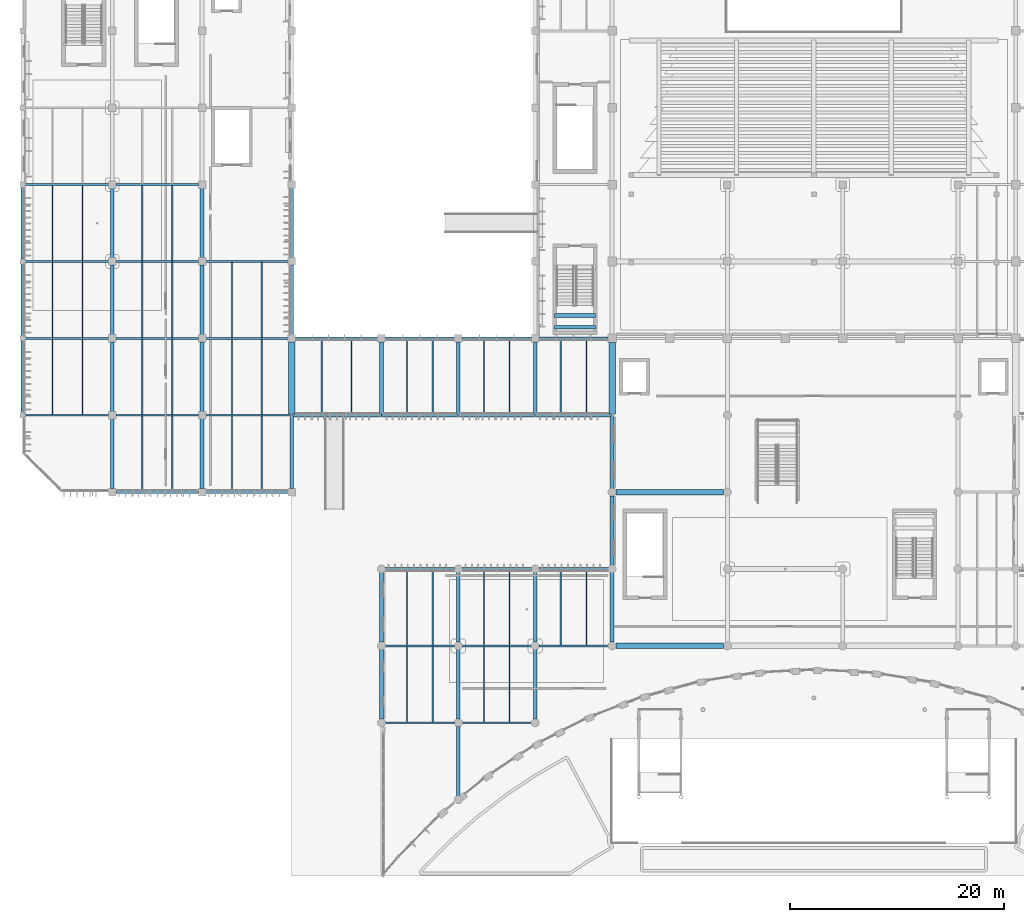
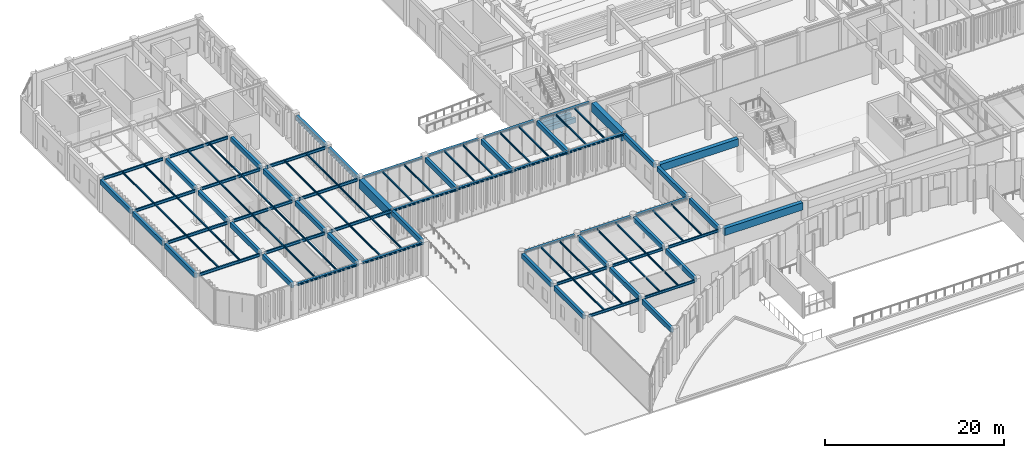
# One storey, part 10 of 122: 100 beams.
"""IFC4 building model written with IfcOpenShell, lengths in metres."""

import ifcopenshell
import ifcopenshell.guid

model = None  # the IFC model being written
_history = None  # IfcOwnerHistory: only IFC2X3 demands one
_inside = {}  # id of a spatial element -> (the spatial element, [elements in it])
_under = {}  # id of a project, library or spatial element -> (it, [spatial elements below it])
_declared = {}  # id of a project -> (the project, [libraries it declares])
_typed = {}  # id of a type object -> (the type object, [elements of that type])
_made_of = {}  # id of a material, layer set ... -> (it, [elements and type objects made of it])


def new_model(schema):
    """Start an empty IFC model of exactly this schema.

    Asked for "IFC4X3", IfcOpenShell would pick the latest addendum, in which some entities
    have other attributes; the version numbers below select the first issue.
    IFC2X3 requires an IfcOwnerHistory on every rooted entity: one is made here for all.
    """
    global model, _history
    if schema == "IFC4X3":
        model = ifcopenshell.file(schema_version=(4, 3, 0, 0))
    else:
        model = ifcopenshell.file(schema=schema)
    _inside.clear()
    _under.clear()
    _declared.clear()
    _typed.clear()
    _made_of.clear()
    _history = None
    if model.schema == "IFC2X3":
        org = make("IfcOrganization", Name="unknown")
        user = make(
            "IfcPersonAndOrganization",
            ThePerson=make("IfcPerson", FamilyName="unknown"),
            TheOrganization=org,
        )
        app = make(
            "IfcApplication",
            ApplicationDeveloper=org,
            Version="unknown",
            ApplicationFullName="unknown",
            ApplicationIdentifier="unknown",
        )
        _history = make(
            "IfcOwnerHistory",
            OwningUser=user,
            OwningApplication=app,
            ChangeAction="ADDED",
            CreationDate=0,
        )
    return model


def make(cls, **values):
    """One entity of the class cls with the attributes given. An attribute that is None is left unset."""
    return model.create_entity(
        cls, **{name: value for name, value in values.items() if value is not None}
    )


def rooted(cls, **values):
    """An entity with a GlobalId (a new one), such as an element, a storey or a relation."""
    return make(cls, GlobalId=ifcopenshell.guid.new(), OwnerHistory=_history, **values)


def si_unit(unit_type, name, prefix=None):
    """IfcSIUnit, for example si_unit("LENGTHUNIT", "METRE", prefix="MILLI")."""
    return make("IfcSIUnit", UnitType=unit_type, Prefix=prefix, Name=name)


def assignment(units):
    """IfcUnitAssignment: the units of a project."""
    return None if units is None else make("IfcUnitAssignment", Units=units)


def point(xyz):
    """IfcCartesianPoint."""
    return None if xyz is None else make("IfcCartesianPoint", Coordinates=xyz)


def direction(xyz):
    """IfcDirection."""
    return None if xyz is None else make("IfcDirection", DirectionRatios=xyz)


def frame(location, z_axis=None, x_axis=None):
    """IfcAxis2Placement3D, a coordinate frame: its origin and axes. An axis left out is left unset."""
    return make(
        "IfcAxis2Placement3D",
        Location=point(location),
        Axis=direction(z_axis),
        RefDirection=direction(x_axis),
    )


def frame_2d(location, x_axis=None):
    """IfcAxis2Placement2D, a coordinate frame in the plane: its origin and x axis."""
    return make(
        "IfcAxis2Placement2D", Location=point(location), RefDirection=direction(x_axis)
    )


def origin():
    """The frame at (0, 0, 0) with its axes left unset."""
    return frame((0.0, 0.0, 0.0))


def origin_2d():
    """The frame at (0, 0) in the plane with its x axis left unset."""
    return frame_2d((0.0, 0.0))


def place(relative_to, where):
    """IfcLocalPlacement: puts the frame where relative to a parent placement (None: the world)."""
    return make(
        "IfcLocalPlacement", PlacementRelTo=relative_to, RelativePlacement=where
    )


def context(
    kind, dimensions, precision=None, world=None, true_north=None, identifier=None
):
    """IfcGeometricRepresentationContext, for example the 3D "Model" context."""
    return make(
        "IfcGeometricRepresentationContext",
        ContextIdentifier=identifier,
        ContextType=kind,
        CoordinateSpaceDimension=dimensions,
        Precision=precision,
        WorldCoordinateSystem=world,
        TrueNorth=true_north,
    )


def subcontext(parent, identifier, kind, view, scale=None):
    """IfcGeometricRepresentationSubContext, for example "Body" below "Model"."""
    return make(
        "IfcGeometricRepresentationSubContext",
        ContextIdentifier=identifier,
        ContextType=kind,
        ParentContext=parent,
        TargetScale=scale,
        TargetView=view,
    )


def project(units=None, contexts=None):
    """IfcProject with its units and contexts."""
    return rooted(
        "IfcProject",
        Name="project",
        RepresentationContexts=contexts,
        UnitsInContext=assignment(units),
    )


def spatial(cls, under=None, at=None, **own):
    """A site, building, storey or space (cls), placed at a placement, below another one or the project."""
    s = rooted(cls, ObjectPlacement=at, **own)
    if under is not None:
        _under.setdefault(under.id(), (under, []))[1].append(s)
    return s


def profile(cls, at=None, kind="AREA", **sizes):
    """A parametric profile (cls). Its sizes go by their IFC names, for example OverallWidth=200.0."""
    return make(cls, ProfileType=kind, Position=at, **sizes)


def rectangle(**sizes):
    """IfcRectangleProfileDef."""
    return profile("IfcRectangleProfileDef", **sizes)


def i_section(**sizes):
    """IfcIShapeProfileDef."""
    return profile("IfcIShapeProfileDef", **sizes)


def extrude(swept, where, along, depth):
    """IfcExtrudedAreaSolid: the profile swept, set in the frame where, extruded along a direction by depth."""
    return make(
        "IfcExtrudedAreaSolid",
        SweptArea=swept,
        Position=where,
        ExtrudedDirection=direction(along),
        Depth=depth,
    )


def shape(context_of_items, identifier, shape_type, items):
    """IfcShapeRepresentation: the items that make up one representation, for example the "Body"."""
    return make(
        "IfcShapeRepresentation",
        ContextOfItems=context_of_items,
        RepresentationIdentifier=identifier,
        RepresentationType=shape_type,
        Items=items,
    )


def material(Name=None, Category=None):
    """IfcMaterial."""
    return make("IfcMaterial", Name=Name, Category=Category)


def material_profile(
    of_material, cross_section, Name=None, Category=None, Priority=None
):
    """IfcMaterialProfile: a cross section and its material."""
    return make(
        "IfcMaterialProfile",
        Name=Name,
        Material=of_material,
        Profile=cross_section,
        Priority=Priority,
        Category=Category,
    )


def profile_set(profiles, Name=None, composite=None):
    """IfcMaterialProfileSet."""
    return make(
        "IfcMaterialProfileSet",
        Name=Name,
        MaterialProfiles=profiles,
        CompositeProfile=composite,
    )


def made_of(thing, what):
    """Note that an element or type object is made of a material, layer set ...; save() writes the relation."""
    if what is not None:
        _made_of.setdefault(what.id(), (what, []))[1].append(thing)
    return thing


def type_object(cls, material=None, **own):
    """A type object (cls), such as IfcWallType, which elements share."""
    return made_of(rooted(cls, **own), material)


def element(
    cls,
    number,
    at=None,
    inside=None,
    cuts=None,
    type_object=None,
    material=None,
    context=None,
    identifier="Body",
    shape_type=None,
    held_by="IfcProductDefinitionShape",
    body=None,
    shapes=None,
    **own,
):
    """One element of the class cls, such as IfcWall. Its Tag is "e" and its number.

    at: its placement. inside: the storey or other place that contains it. cuts: it is an
    opening in that element (IfcRelVoidsElement). A single representation is given by context,
    identifier, shape_type and body (its items); several are given by shapes. held_by: the class
    of the entity that holds the representations. save() writes the other relations.
    """
    e = rooted(cls, Tag="e%d" % number, ObjectPlacement=at, **own)
    if body is not None:
        shapes = [shape(context, identifier, shape_type, body)]
    if shapes is not None:
        e.Representation = make(held_by, Representations=shapes)
    if inside is not None:
        _inside.setdefault(inside.id(), (inside, []))[1].append(e)
    if cuts is not None:
        rooted(
            "IfcRelVoidsElement", RelatingBuildingElement=cuts, RelatedOpeningElement=e
        )
    if type_object is not None:
        _typed.setdefault(type_object.id(), (type_object, []))[1].append(e)
    return made_of(e, material)


def aggregate(whole, parts):
    """IfcRelAggregates: a whole, such as a stair, and the parts it consists of."""
    return rooted("IfcRelAggregates", RelatingObject=whole, RelatedObjects=parts)


def save(model, path):
    """Write the relations noted so far, then the file.

    IfcRelAggregates (storeys below a building ...), IfcRelContainedInSpatialStructure (elements
    in a storey), IfcRelDefinesByType, IfcRelAssociatesMaterial and IfcRelDeclares: one each for
    every whole, place, type object, material and project.
    """
    for whole, parts in _under.values():
        aggregate(whole, parts)
    for where, things in _inside.values():
        rooted(
            "IfcRelContainedInSpatialStructure",
            RelatedElements=things,
            RelatingStructure=where,
        )
    for kind, things in _typed.values():
        rooted("IfcRelDefinesByType", RelatedObjects=things, RelatingType=kind)
    for what, things in _made_of.values():
        rooted("IfcRelAssociatesMaterial", RelatedObjects=things, RelatingMaterial=what)
    for by, libraries in _declared.values():
        rooted("IfcRelDeclares", RelatingContext=by, RelatedDefinitions=libraries)
    model.write(path)


model = new_model("IFC4")

# Units and contexts
model_context = context("Model", 3, precision=1e-05, world=origin(), true_north=direction((0.0, 1.0)))
body_context = subcontext(model_context, "Body", "Model", "MODEL_VIEW")
ifc_project = project(units=[si_unit("LENGTHUNIT", "METRE"), si_unit("AREAUNIT", "SQUARE_METRE"), si_unit("VOLUMEUNIT", "CUBIC_METRE"), si_unit("PLANEANGLEUNIT", "RADIAN"), si_unit("MASSUNIT", "GRAM", prefix="KILO")], contexts=[model_context])

# Site, building, storey
site_placement = place(None, origin())
site = spatial("IfcSite", under=ifc_project, at=site_placement, CompositionType="ELEMENT")
building_placement = place(site_placement, origin())
building = spatial("IfcBuilding", under=site, at=building_placement, Name="Tazoul Stagehouse", CompositionType="ELEMENT")
storey_placement = place(building_placement, origin())
storey = spatial("IfcBuildingStorey", under=building, at=storey_placement, Name="L00", CompositionType="ELEMENT", Elevation=0.0)

# Beams
ifc_material_1 = material(Name="Concrete C40/50", Category="concrete")
ifc_material_profile_1 = material_profile(ifc_material_1, rectangle(XDim=0.60009765625, YDim=1.199951171875, at=origin_2d()), Name="RC 600x1200")
ifc_profile_set_1 = profile_set([ifc_material_profile_1], Name="Concrete C40/50")
beam_type_1 = type_object("IfcBeamType", Name="RC Long-Span Girder 600x1200 (Exterior)", PredefinedType="BEAM", material=ifc_profile_set_1)
beam_1_placement = place(storey_placement, frame((27.60009765625, 44.737060546875, 3.93798828125), z_axis=(0.0, 1.0, 0.0), x_axis=(-1.0, 0.0, 0.0)))
element("IfcBeam", 1, at=beam_1_placement, inside=storey, type_object=beam_type_1, Name="L00 Beam BM-05E 4/G-H", PredefinedType="BEAM", context=body_context, shape_type="SweptSolid", body=[
    extrude(rectangle(XDim=0.60009765625, YDim=1.199951171875, at=origin_2d()), origin(), (0.0, 0.0, 1.0), 6.738037109375),
])
beam_2_placement = place(storey_placement, frame((57.60009765625, 44.737060546875, 3.93798828125), z_axis=(0.0, 1.0, 0.0), x_axis=(-1.0, 0.0, 0.0)))
element("IfcBeam", 2, at=beam_2_placement, inside=storey, type_object=beam_type_1, Name="L00 Beam BM-05E 8/G-H", PredefinedType="BEAM", context=body_context, shape_type="SweptSolid", body=[
    extrude(rectangle(XDim=0.60009765625, YDim=1.199951171875, at=origin_2d()), origin(), (0.0, 0.0, 1.0), 6.68798828125),
])
ifc_material_profile_2 = material_profile(ifc_material_1, rectangle(XDim=0.35009765625, YDim=0.64990234375, at=origin_2d()), Name="RC 350x650")
ifc_profile_set_2 = profile_set([ifc_material_profile_2], Name="Concrete C40/50")
beam_type_2 = type_object("IfcBeamType", Name="RC Perimeter Spandrel 350x650 (Exterior)", PredefinedType="SPANDREL", material=ifc_profile_set_2)
for number, where, z_axis, x_axis, name in (
    (3, (2.39990234375, 44.824951171875, 4.212890625), (0.0, 1.0, 0.0), (-1.0, 0.0, 0.0), "L00 Beam SP-01E 1/G-H"),
    (4, (2.39990234375, 52.02490234375, 4.212890625), (0.0, 1.0, 0.0), (-1.0, 0.0, 0.0), "L00 Beam SP-01E 1/H-J"),
    (5, (2.39990234375, 59.22509765625, 4.212890625), (0.0, 1.0, 0.0), (-1.0, 0.0, 0.0), "L00 Beam SP-01E 1/J-K"),
):
    element("IfcBeam", number, at=place(storey_placement, frame(where, z_axis=z_axis, x_axis=x_axis)), inside=storey, type_object=beam_type_2, Name=name, PredefinedType="SPANDREL", context=body_context, shape_type="SweptSolid", body=[
        extrude(rectangle(XDim=0.35009765625, YDim=0.64990234375, at=origin_2d()), origin(), (0.0, 0.0, 1.0), 6.75),
    ])
beam_3_placement = place(storey_placement, frame((27.60009765625, 37.72509765625, 4.212890625), z_axis=(0.0, 1.0, 0.0), x_axis=(-1.0, 0.0, 0.0)))
element("IfcBeam", 6, at=beam_3_placement, inside=storey, type_object=beam_type_2, Name="L00 Beam SP-01E 4/F-G", PredefinedType="SPANDREL", context=body_context, shape_type="SweptSolid", body=[
    extrude(rectangle(XDim=0.35009765625, YDim=0.64990234375, at=origin_2d()), origin(), (0.0, 0.0, 1.0), 6.738037109375),
])
for number, where, z_axis, x_axis, name in (
    (7, (27.60009765625, 52.125, 4.212890625), (0.0, 1.0, 0.0), (-1.0, 0.0, 0.0), "L00 Beam SP-01E 4/H-J"),
    (8, (27.60009765625, 59.324951171875, 4.212890625), (0.0, 1.0, 0.0), (-1.0, 0.0, 0.0), "L00 Beam SP-01E 4/J-K"),
):
    element("IfcBeam", number, at=place(storey_placement, frame(where, z_axis=z_axis, x_axis=x_axis)), inside=storey, type_object=beam_type_2, Name=name, PredefinedType="SPANDREL", context=body_context, shape_type="SweptSolid", body=[
        extrude(rectangle(XDim=0.35009765625, YDim=0.64990234375, at=origin_2d()), origin(), (0.0, 0.0, 1.0), 6.550048828125),
    ])
for number, where, z_axis, x_axis, name in (
    (9, (36.0, 16.14990234375, 4.212890625), (0.0, 1.0, 0.0), (-1.0, 0.0, 0.0), "L00 Beam SP-01E 5/C-D"),
    (10, (36.0, 23.35009765625, 4.212890625), (0.0, 1.0, 0.0), (-1.0, 0.0, 0.0), "L00 Beam SP-01E 5/D-E"),
    (11, (57.60009765625, 30.550048828125, 4.212890625), (0.0, 1.0, 0.0), (-1.0, 0.0, 0.0), "L00 Beam SP-01E 8/E-F"),
):
    element("IfcBeam", number, at=place(storey_placement, frame(where, z_axis=z_axis, x_axis=x_axis)), inside=storey, type_object=beam_type_2, Name=name, PredefinedType="SPANDREL", context=body_context, shape_type="SweptSolid", body=[
        extrude(rectangle(XDim=0.35009765625, YDim=0.64990234375, at=origin_2d()), origin(), (0.0, 0.0, 1.0), 6.5),
    ])
beam_4_placement = place(storey_placement, frame((57.60009765625, 37.75, 4.212890625), z_axis=(0.0, 1.0, 0.0), x_axis=(-1.0, 0.0, 0.0)))
element("IfcBeam", 12, at=beam_4_placement, inside=storey, type_object=beam_type_2, Name="L00 Beam SP-01E 8/F-G", PredefinedType="SPANDREL", context=body_context, shape_type="SweptSolid", body=[
    extrude(rectangle(XDim=0.35009765625, YDim=0.64990234375, at=origin_2d()), origin(), (0.0, 0.0, 1.0), 6.713134765625),
])
ifc_material_profile_3 = material_profile(ifc_material_1, rectangle(XDim=0.35009765625, YDim=0.64990234375, at=origin_2d()), Name="RC 350x650")
ifc_profile_set_3 = profile_set([ifc_material_profile_3], Name="Concrete C40/50")
beam_type_3 = type_object("IfcBeamType", Name="RC Primary Girder 350x650", PredefinedType="BEAM", material=ifc_profile_set_3)
beam_5_placement = place(storey_placement, frame((10.800048828125, 37.72509765625, 4.212890625), z_axis=(0.0, 1.0, 0.0), x_axis=(-1.0, 0.0, 0.0)))
element("IfcBeam", 13, at=beam_5_placement, inside=storey, type_object=beam_type_3, Name="L00 Beam BM-01 2/F-G", PredefinedType="BEAM", context=body_context, shape_type="SweptSolid", body=[
    extrude(rectangle(XDim=0.35009765625, YDim=0.64990234375, at=origin_2d()), origin(), (0.0, 0.0, 1.0), 6.5498046875),
])
for number, where, z_axis, x_axis, name in (
    (14, (10.800048828125, 44.925048828125, 4.212890625), (0.0, 1.0, 0.0), (-1.0, 0.0, 0.0), "L00 Beam BM-01 2/G-H"),
    (15, (10.800048828125, 52.125, 4.212890625), (0.0, 1.0, 0.0), (-1.0, 0.0, 0.0), "L00 Beam BM-01 2/H-J"),
    (16, (10.800048828125, 59.324951171875, 4.212890625), (0.0, 1.0, 0.0), (-1.0, 0.0, 0.0), "L00 Beam BM-01 2/J-K"),
):
    element("IfcBeam", number, at=place(storey_placement, frame(where, z_axis=z_axis, x_axis=x_axis)), inside=storey, type_object=beam_type_3, Name=name, PredefinedType="BEAM", context=body_context, shape_type="SweptSolid", body=[
        extrude(rectangle(XDim=0.35009765625, YDim=0.64990234375, at=origin_2d()), origin(), (0.0, 0.0, 1.0), 6.550048828125),
    ])
beam_6_placement = place(storey_placement, frame((19.199951171875, 37.72509765625, 4.212890625), z_axis=(0.0, 1.0, 0.0), x_axis=(-1.0, 0.0, 0.0)))
element("IfcBeam", 17, at=beam_6_placement, inside=storey, type_object=beam_type_3, Name="L00 Beam BM-01 3/F-G", PredefinedType="BEAM", context=body_context, shape_type="SweptSolid", body=[
    extrude(rectangle(XDim=0.35009765625, YDim=0.64990234375, at=origin_2d()), origin(), (0.0, 0.0, 1.0), 6.5498046875),
])
for number, where, z_axis, x_axis, name in (
    (18, (19.199951171875, 44.925048828125, 4.212890625), (0.0, 1.0, 0.0), (-1.0, 0.0, 0.0), "L00 Beam BM-01 3/G-H"),
    (19, (19.199951171875, 52.125, 4.212890625), (0.0, 1.0, 0.0), (-1.0, 0.0, 0.0), "L00 Beam BM-01 3/H-J"),
    (20, (19.199951171875, 59.324951171875, 4.212890625), (0.0, 1.0, 0.0), (-1.0, 0.0, 0.0), "L00 Beam BM-01 3/J-K"),
):
    element("IfcBeam", number, at=place(storey_placement, frame(where, z_axis=z_axis, x_axis=x_axis)), inside=storey, type_object=beam_type_3, Name=name, PredefinedType="BEAM", context=body_context, shape_type="SweptSolid", body=[
        extrude(rectangle(XDim=0.35009765625, YDim=0.64990234375, at=origin_2d()), origin(), (0.0, 0.0, 1.0), 6.550048828125),
    ])
beam_7_placement = place(storey_placement, frame((36.0, 44.737060546875, 4.23291015625), z_axis=(0.0, 1.0, 0.0), x_axis=(-1.0, 0.0, 0.0)))
element("IfcBeam", 21, at=beam_7_placement, inside=storey, type_object=beam_type_3, Name="L00 Beam BM-01 5/G-H", PredefinedType="BEAM", context=body_context, shape_type="SweptSolid", body=[
    extrude(rectangle(XDim=0.35009765625, YDim=0.64990234375, at=origin_2d()), origin(), (0.0, 0.0, 1.0), 6.738037109375),
])
for number, where, z_axis, x_axis, name in (
    (22, (43.199951171875, 8.949951171875, 4.212890625), (0.0, 1.0, 0.0), (-1.0, 0.0, 0.0), "L00 Beam BM-01 6/B-C"),
    (23, (43.199951171875, 16.14990234375, 4.212890625), (0.0, 1.0, 0.0), (-1.0, 0.0, 0.0), "L00 Beam BM-01 6/C-D"),
    (24, (43.199951171875, 23.35009765625, 4.212890625), (0.0, 1.0, 0.0), (-1.0, 0.0, 0.0), "L00 Beam BM-01 6/D-E"),
):
    element("IfcBeam", number, at=place(storey_placement, frame(where, z_axis=z_axis, x_axis=x_axis)), inside=storey, type_object=beam_type_3, Name=name, PredefinedType="BEAM", context=body_context, shape_type="SweptSolid", body=[
        extrude(rectangle(XDim=0.35009765625, YDim=0.64990234375, at=origin_2d()), origin(), (0.0, 0.0, 1.0), 6.5),
    ])
beam_8_placement = place(storey_placement, frame((43.199951171875, 44.737060546875, 4.23291015625), z_axis=(0.0, 1.0, 0.0), x_axis=(-1.0, 0.0, 0.0)))
element("IfcBeam", 25, at=beam_8_placement, inside=storey, type_object=beam_type_3, Name="L00 Beam BM-01 6/G-H", PredefinedType="BEAM", context=body_context, shape_type="SweptSolid", body=[
    extrude(rectangle(XDim=0.35009765625, YDim=0.64990234375, at=origin_2d()), origin(), (0.0, 0.0, 1.0), 6.738037109375),
])
for number, where, z_axis, x_axis, name in (
    (26, (50.39990234375, 16.14990234375, 4.212890625), (0.0, 1.0, 0.0), (-1.0, 0.0, 0.0), "L00 Beam BM-01 7/C-D"),
    (27, (50.39990234375, 23.35009765625, 4.212890625), (0.0, 1.0, 0.0), (-1.0, 0.0, 0.0), "L00 Beam BM-01 7/D-E"),
):
    element("IfcBeam", number, at=place(storey_placement, frame(where, z_axis=z_axis, x_axis=x_axis)), inside=storey, type_object=beam_type_3, Name=name, PredefinedType="BEAM", context=body_context, shape_type="SweptSolid", body=[
        extrude(rectangle(XDim=0.35009765625, YDim=0.64990234375, at=origin_2d()), origin(), (0.0, 0.0, 1.0), 6.5),
    ])
beam_9_placement = place(storey_placement, frame((50.39990234375, 44.737060546875, 4.212890625), z_axis=(0.0, 1.0, 0.0), x_axis=(-1.0, 0.0, 0.0)))
element("IfcBeam", 28, at=beam_9_placement, inside=storey, type_object=beam_type_3, Name="L00 Beam BM-01 7/G-H", PredefinedType="BEAM", context=body_context, shape_type="SweptSolid", body=[
    extrude(rectangle(XDim=0.35009765625, YDim=0.64990234375, at=origin_2d()), origin(), (0.0, 0.0, 1.0), 6.738037109375),
])
beam_10_placement = place(storey_placement, frame((57.60009765625, 23.35009765625, 4.212890625), z_axis=(0.0, 1.0, 0.0), x_axis=(-1.0, 0.0, 0.0)))
element("IfcBeam", 29, at=beam_10_placement, inside=storey, type_object=beam_type_3, Name="L00 Beam BM-01 8/D-E", PredefinedType="BEAM", context=body_context, shape_type="SweptSolid", body=[
    extrude(rectangle(XDim=0.35009765625, YDim=0.64990234375, at=origin_2d()), origin(), (0.0, 0.0, 1.0), 6.5),
])
for number, where, z_axis, x_axis, name in (
    (30, (52.219970703125, 52.840087890625, 1.8798828125), (1.0, 0.0, 0.0), (0.0, 1.0, 0.0), "L00 Stair Half-Landing Trimmer BM-01 (ST-05-1)"),
    (31, (52.219970703125, 53.93994140625, 1.8798828125), (1.0, 0.0, 0.0), (0.0, 1.0, 0.0), "L00 Stair Half-Landing Trimmer BM-01 (ST-05-2)"),
):
    element("IfcBeam", number, at=place(storey_placement, frame(where, z_axis=z_axis, x_axis=x_axis)), inside=storey, type_object=beam_type_3, Name=name, PredefinedType="BEAM", context=body_context, shape_type="SweptSolid", body=[
        extrude(rectangle(XDim=0.35009765625, YDim=0.64990234375, at=origin_2d()), origin(), (0.0, 0.0, 1.0), 3.81005859375),
    ])
ifc_material_profile_4 = material_profile(ifc_material_1, rectangle(XDim=0.5, YDim=1.0, at=origin_2d()), Name="RC 500x1000")
ifc_profile_set_4 = profile_set([ifc_material_profile_4], Name="Concrete C40/50")
beam_type_4 = type_object("IfcBeamType", Name="RC Transfer Girder 500x1000", PredefinedType="BEAM", material=ifc_profile_set_4)
for number, where, z_axis, x_axis, name in (
    (32, (57.949951171875, 23.0, 4.0380859375), (1.0, 0.0, 0.0), (0.0, 1.0, 0.0), "L00 Beam BM-04 D/8-10"),
    (33, (57.949951171875, 37.39990234375, 4.0380859375), (1.0, 0.0, 0.0), (0.0, 1.0, 0.0), "L00 Beam BM-04 F/8-10"),
):
    element("IfcBeam", number, at=place(storey_placement, frame(where, z_axis=z_axis, x_axis=x_axis)), inside=storey, type_object=beam_type_4, Name=name, PredefinedType="BEAM", context=body_context, shape_type="SweptSolid", body=[
        extrude(rectangle(XDim=0.5, YDim=1.0, at=origin_2d()), origin(), (0.0, 0.0, 1.0), 10.10009765625),
    ])
ifc_material_2 = material(Name="Steel S355", Category="steel")
ifc_material_profile_5 = material_profile(ifc_material_2, i_section(OverallWidth=0.300048828125, OverallDepth=0.2900390625, WebThickness=0.008544921875, FlangeThickness=0.013916015625, FilletRadius=0.027099609375, at=origin_2d()), Name="HEA 300")
ifc_profile_set_5 = profile_set([ifc_material_profile_5], Name="Steel S355")
beam_type_5 = type_object("IfcBeamType", Name="Steel Crescent Spandrel HEA 300", PredefinedType="SPANDREL", material=ifc_profile_set_5)
beam_11_placement = place(storey_placement, frame((50.72509765625, 51.800048828125, 4.39306640625), z_axis=(1.0, 0.0, 0.0), x_axis=(0.0, 1.0, 0.0)))
element("IfcBeam", 34, at=beam_11_placement, inside=storey, type_object=beam_type_5, Name="L00 Beam SP-03 H/7-8", PredefinedType="SPANDREL", context=body_context, shape_type="SweptSolid", body=[
    extrude(i_section(OverallWidth=0.300048828125, OverallDepth=0.2900390625, WebThickness=0.008544921875, FlangeThickness=0.013916015625, FilletRadius=0.027099609375, at=origin_2d()), origin(), (0.0, 0.0, 1.0), 6.5),
])
ifc_material_profile_6 = material_profile(ifc_material_2, i_section(OverallWidth=0.300048828125, OverallDepth=0.2900390625, WebThickness=0.008544921875, FlangeThickness=0.013916015625, FilletRadius=0.027099609375, at=origin_2d()), Name="HEA 300")
ifc_profile_set_6 = profile_set([ifc_material_profile_6], Name="Steel S355")
beam_type_6 = type_object("IfcBeamType", Name="Steel Crescent Spandrel HEA 300 (Exterior)", PredefinedType="SPANDREL", material=ifc_profile_set_6)
for number, where, z_axis, x_axis, name in (
    (35, (36.35009765625, 30.199951171875, 4.39306640625), (1.0, 0.0, 0.0), (0.0, 1.0, 0.0), "L00 Beam SP-03E E/5-6"),
    (36, (43.550048828125, 30.199951171875, 4.39306640625), (1.0, 0.0, 0.0), (0.0, 1.0, 0.0), "L00 Beam SP-03E E/6-7"),
    (37, (50.75, 30.199951171875, 4.39306640625), (1.0, 0.0, 0.0), (0.0, 1.0, 0.0), "L00 Beam SP-03E E/7-8"),
):
    element("IfcBeam", number, at=place(storey_placement, frame(where, z_axis=z_axis, x_axis=x_axis)), inside=storey, type_object=beam_type_6, Name=name, PredefinedType="SPANDREL", context=body_context, shape_type="SweptSolid", body=[
        extrude(i_section(OverallWidth=0.300048828125, OverallDepth=0.2900390625, WebThickness=0.008544921875, FlangeThickness=0.013916015625, FilletRadius=0.027099609375, at=origin_2d()), origin(), (0.0, 0.0, 1.0), 6.5),
    ])
for number, where, z_axis, x_axis, name in (
    (38, (11.125, 37.39990234375, 4.4130859375), (1.0, 0.0, 0.0), (0.0, 1.0, 0.0), "L00 Beam SP-03E F/2-3"),
    (39, (19.52490234375, 37.39990234375, 4.4130859375), (1.0, 0.0, 0.0), (0.0, 1.0, 0.0), "L00 Beam SP-03E F/3-4"),
):
    element("IfcBeam", number, at=place(storey_placement, frame(where, z_axis=z_axis, x_axis=x_axis)), inside=storey, type_object=beam_type_6, Name=name, PredefinedType="SPANDREL", context=body_context, shape_type="SweptSolid", body=[
        extrude(i_section(OverallWidth=0.300048828125, OverallDepth=0.2900390625, WebThickness=0.008544921875, FlangeThickness=0.013916015625, FilletRadius=0.027099609375, at=origin_2d()), origin(), (0.0, 0.0, 1.0), 7.75),
    ])
beam_12_placement = place(storey_placement, frame((27.610107421875, 44.60009765625, 4.39306640625), z_axis=(1.0, 0.0, 0.0), x_axis=(0.0, 1.0, 0.0)))
element("IfcBeam", 40, at=beam_12_placement, inside=storey, type_object=beam_type_6, Name="L00 Beam SP-03E G/4-5", PredefinedType="SPANDREL", context=body_context, shape_type="SweptSolid", body=[
    extrude(i_section(OverallWidth=0.300048828125, OverallDepth=0.2900390625, WebThickness=0.008544921875, FlangeThickness=0.013916015625, FilletRadius=0.027099609375, at=origin_2d()), origin(), (0.0, 0.0, 1.0), 8.3798828125),
])
for number, where, z_axis, x_axis, name in (
    (41, (36.010009765625, 44.60009765625, 4.4130859375), (1.0, 0.0, 0.0), (0.0, 1.0, 0.0), "L00 Beam SP-03E G/5-6"),
    (42, (43.2099609375, 44.60009765625, 4.4130859375), (1.0, 0.0, 0.0), (0.0, 1.0, 0.0), "L00 Beam SP-03E G/6-7"),
):
    element("IfcBeam", number, at=place(storey_placement, frame(where, z_axis=z_axis, x_axis=x_axis)), inside=storey, type_object=beam_type_6, Name=name, PredefinedType="SPANDREL", context=body_context, shape_type="SweptSolid", body=[
        extrude(i_section(OverallWidth=0.300048828125, OverallDepth=0.2900390625, WebThickness=0.008544921875, FlangeThickness=0.013916015625, FilletRadius=0.027099609375, at=origin_2d()), origin(), (0.0, 0.0, 1.0), 7.179931640625),
    ])
beam_13_placement = place(storey_placement, frame((50.409912109375, 44.60009765625, 4.39306640625), z_axis=(1.0, 0.0, 0.0), x_axis=(0.0, 1.0, 0.0)))
element("IfcBeam", 43, at=beam_13_placement, inside=storey, type_object=beam_type_6, Name="L00 Beam SP-03E G/7-8", PredefinedType="SPANDREL", context=body_context, shape_type="SweptSolid", body=[
    extrude(i_section(OverallWidth=0.300048828125, OverallDepth=0.2900390625, WebThickness=0.008544921875, FlangeThickness=0.013916015625, FilletRadius=0.027099609375, at=origin_2d()), origin(), (0.0, 0.0, 1.0), 7.18017578125),
])
beam_14_placement = place(storey_placement, frame((27.925048828125, 51.800048828125, 4.39306640625), z_axis=(1.0, 0.0, 0.0), x_axis=(0.0, 1.0, 0.0)))
element("IfcBeam", 44, at=beam_14_placement, inside=storey, type_object=beam_type_6, Name="L00 Beam SP-03E H/4-5", PredefinedType="SPANDREL", context=body_context, shape_type="SweptSolid", body=[
    extrude(i_section(OverallWidth=0.300048828125, OverallDepth=0.2900390625, WebThickness=0.008544921875, FlangeThickness=0.013916015625, FilletRadius=0.027099609375, at=origin_2d()), origin(), (0.0, 0.0, 1.0), 7.75),
])
for number, where, z_axis, x_axis, name in (
    (45, (36.324951171875, 51.800048828125, 4.4130859375), (1.0, 0.0, 0.0), (0.0, 1.0, 0.0), "L00 Beam SP-03E H/5-6"),
    (46, (43.52490234375, 51.800048828125, 4.39306640625), (1.0, 0.0, 0.0), (0.0, 1.0, 0.0), "L00 Beam SP-03E H/6-7"),
):
    element("IfcBeam", number, at=place(storey_placement, frame(where, z_axis=z_axis, x_axis=x_axis)), inside=storey, type_object=beam_type_6, Name=name, PredefinedType="SPANDREL", context=body_context, shape_type="SweptSolid", body=[
        extrude(i_section(OverallWidth=0.300048828125, OverallDepth=0.2900390625, WebThickness=0.008544921875, FlangeThickness=0.013916015625, FilletRadius=0.027099609375, at=origin_2d()), origin(), (0.0, 0.0, 1.0), 6.550048828125),
    ])
ifc_material_profile_7 = material_profile(ifc_material_2, i_section(OverallWidth=0.1201171875, OverallDepth=0.239990234375, WebThickness=0.006103515625, FlangeThickness=0.009765625, FilletRadius=0.014892578125, at=origin_2d()), Name="IPE 240")
ifc_profile_set_7 = profile_set([ifc_material_profile_7], Name="Steel S355")
beam_type_7 = type_object("IfcBeamType", Name="Steel Floor Joist IPE 240", PredefinedType="JOIST", material=ifc_profile_set_7)
for number, where, z_axis, x_axis, name in (
    (47, (38.39990234375, 15.860107421875, 4.41796875), (0.0, 1.0, 0.0), (-1.0, 0.0, 0.0), "L00 Joist JS-01 5/C-1"),
    (48, (40.800048828125, 15.860107421875, 4.41796875), (0.0, 1.0, 0.0), (-1.0, 0.0, 0.0), "L00 Joist JS-01 5/C-2"),
    (49, (45.60009765625, 15.860107421875, 4.41796875), (0.0, 1.0, 0.0), (-1.0, 0.0, 0.0), "L00 Joist JS-01 6/C-1"),
    (50, (48.0, 15.860107421875, 4.41796875), (0.0, 1.0, 0.0), (-1.0, 0.0, 0.0), "L00 Joist JS-01 6/C-2"),
):
    element("IfcBeam", number, at=place(storey_placement, frame(where, z_axis=z_axis, x_axis=x_axis)), inside=storey, type_object=beam_type_7, Name=name, PredefinedType="JOIST", context=body_context, shape_type="SweptSolid", body=[
        extrude(i_section(OverallWidth=0.1201171875, OverallDepth=0.239990234375, WebThickness=0.006103515625, FlangeThickness=0.009765625, FilletRadius=0.014892578125, at=origin_2d()), origin(), (0.0, 0.0, 1.0), 7.079833984375),
    ])
for number, where, z_axis, x_axis, name in (
    (51, (38.39990234375, 23.06005859375, 4.41796875), (0.0, 1.0, 0.0), (-1.0, 0.0, 0.0), "L00 Joist JS-01 5/D-1"),
    (52, (40.800048828125, 23.06005859375, 4.41796875), (0.0, 1.0, 0.0), (-1.0, 0.0, 0.0), "L00 Joist JS-01 5/D-2"),
    (53, (45.60009765625, 23.06005859375, 4.41796875), (0.0, 1.0, 0.0), (-1.0, 0.0, 0.0), "L00 Joist JS-01 6/D-1"),
    (54, (48.0, 23.06005859375, 4.41796875), (0.0, 1.0, 0.0), (-1.0, 0.0, 0.0), "L00 Joist JS-01 6/D-2"),
    (55, (52.800048828125, 23.06005859375, 4.41796875), (0.0, 1.0, 0.0), (-1.0, 0.0, 0.0), "L00 Joist JS-01 7/D-1"),
    (56, (55.199951171875, 23.06005859375, 4.41796875), (0.0, 1.0, 0.0), (-1.0, 0.0, 0.0), "L00 Joist JS-01 7/D-2"),
):
    element("IfcBeam", number, at=place(storey_placement, frame(where, z_axis=z_axis, x_axis=x_axis)), inside=storey, type_object=beam_type_7, Name=name, PredefinedType="JOIST", context=body_context, shape_type="SweptSolid", body=[
        extrude(i_section(OverallWidth=0.1201171875, OverallDepth=0.239990234375, WebThickness=0.006103515625, FlangeThickness=0.009765625, FilletRadius=0.014892578125, at=origin_2d()), origin(), (0.0, 0.0, 1.0), 7.014892578125),
    ])
for number, where, z_axis, x_axis, name in (
    (57, (13.60009765625, 37.52490234375, 4.43798828125), (0.0, 1.0, 0.0), (-1.0, 0.0, 0.0), "L00 Joist JS-01 2/F-1"),
    (58, (16.39990234375, 37.52490234375, 4.43798828125), (0.0, 1.0, 0.0), (-1.0, 0.0, 0.0), "L00 Joist JS-01 2/F-2"),
    (59, (22.0, 37.52490234375, 4.43798828125), (0.0, 1.0, 0.0), (-1.0, 0.0, 0.0), "L00 Joist JS-01 3/F-1"),
    (60, (24.800048828125, 37.52490234375, 4.43798828125), (0.0, 1.0, 0.0), (-1.0, 0.0, 0.0), "L00 Joist JS-01 3/F-2"),
):
    element("IfcBeam", number, at=place(storey_placement, frame(where, z_axis=z_axis, x_axis=x_axis)), inside=storey, type_object=beam_type_7, Name=name, PredefinedType="JOIST", context=body_context, shape_type="SweptSolid", body=[
        extrude(i_section(OverallWidth=0.1201171875, OverallDepth=0.239990234375, WebThickness=0.006103515625, FlangeThickness=0.009765625, FilletRadius=0.014892578125, at=origin_2d()), origin(), (0.0, 0.0, 1.0), 7.010009765625),
    ])
for number, where, z_axis, x_axis, name in (
    (61, (5.199951171875, 44.6650390625, 4.41796875), (0.0, 1.0, 0.0), (-1.0, 0.0, 0.0), "L00 Joist JS-01 1/G-1"),
    (62, (8.0, 44.6650390625, 4.41796875), (0.0, 1.0, 0.0), (-1.0, 0.0, 0.0), "L00 Joist JS-01 1/G-2"),
    (63, (13.60009765625, 44.6650390625, 4.41796875), (0.0, 1.0, 0.0), (-1.0, 0.0, 0.0), "L00 Joist JS-01 2/G-1"),
    (64, (16.39990234375, 44.6650390625, 4.41796875), (0.0, 1.0, 0.0), (-1.0, 0.0, 0.0), "L00 Joist JS-01 2/G-2"),
    (65, (22.0, 44.6650390625, 4.41796875), (0.0, 1.0, 0.0), (-1.0, 0.0, 0.0), "L00 Joist JS-01 3/G-1"),
    (66, (24.800048828125, 44.6650390625, 4.41796875), (0.0, 1.0, 0.0), (-1.0, 0.0, 0.0), "L00 Joist JS-01 3/G-2"),
):
    element("IfcBeam", number, at=place(storey_placement, frame(where, z_axis=z_axis, x_axis=x_axis)), inside=storey, type_object=beam_type_7, Name=name, PredefinedType="JOIST", context=body_context, shape_type="SweptSolid", body=[
        extrude(i_section(OverallWidth=0.1201171875, OverallDepth=0.239990234375, WebThickness=0.006103515625, FlangeThickness=0.009765625, FilletRadius=0.014892578125, at=origin_2d()), origin(), (0.0, 0.0, 1.0), 7.070068359375),
    ])
for number, where, z_axis, x_axis, name in (
    (67, (30.39990234375, 44.72509765625, 4.41796875), (0.0, 1.0, 0.0), (-1.0, 0.0, 0.0), "L00 Joist JS-01 4/G-1"),
    (68, (33.199951171875, 44.72509765625, 4.41796875), (0.0, 1.0, 0.0), (-1.0, 0.0, 0.0), "L00 Joist JS-01 4/G-2"),
    (69, (38.39990234375, 44.72509765625, 4.43798828125), (0.0, 1.0, 0.0), (-1.0, 0.0, 0.0), "L00 Joist JS-01 5/G-1"),
    (70, (40.800048828125, 44.72509765625, 4.43798828125), (0.0, 1.0, 0.0), (-1.0, 0.0, 0.0), "L00 Joist JS-01 5/G-2"),
    (71, (45.60009765625, 44.72509765625, 4.43798828125), (0.0, 1.0, 0.0), (-1.0, 0.0, 0.0), "L00 Joist JS-01 6/G-1"),
    (72, (48.0, 44.72509765625, 4.43798828125), (0.0, 1.0, 0.0), (-1.0, 0.0, 0.0), "L00 Joist JS-01 6/G-2"),
    (73, (52.800048828125, 44.72509765625, 4.41796875), (0.0, 1.0, 0.0), (-1.0, 0.0, 0.0), "L00 Joist JS-01 7/G-1"),
    (74, (55.199951171875, 44.72509765625, 4.41796875), (0.0, 1.0, 0.0), (-1.0, 0.0, 0.0), "L00 Joist JS-01 7/G-2"),
):
    element("IfcBeam", number, at=place(storey_placement, frame(where, z_axis=z_axis, x_axis=x_axis)), inside=storey, type_object=beam_type_7, Name=name, PredefinedType="JOIST", context=body_context, shape_type="SweptSolid", body=[
        extrude(i_section(OverallWidth=0.1201171875, OverallDepth=0.239990234375, WebThickness=0.006103515625, FlangeThickness=0.009765625, FilletRadius=0.014892578125, at=origin_2d()), origin(), (0.0, 0.0, 1.0), 6.949951171875),
    ])
for number, where, z_axis, x_axis, name in (
    (75, (5.199951171875, 51.864990234375, 4.41796875), (0.0, 1.0, 0.0), (-1.0, 0.0, 0.0), "L00 Joist JS-01 1/H-1"),
    (76, (8.0, 51.864990234375, 4.41796875), (0.0, 1.0, 0.0), (-1.0, 0.0, 0.0), "L00 Joist JS-01 1/H-2"),
    (77, (13.60009765625, 51.864990234375, 4.41796875), (0.0, 1.0, 0.0), (-1.0, 0.0, 0.0), "L00 Joist JS-01 2/H-1"),
    (78, (16.39990234375, 51.864990234375, 4.41796875), (0.0, 1.0, 0.0), (-1.0, 0.0, 0.0), "L00 Joist JS-01 2/H-2"),
    (79, (22.0, 51.864990234375, 4.41796875), (0.0, 1.0, 0.0), (-1.0, 0.0, 0.0), "L00 Joist JS-01 3/H-1"),
    (80, (24.800048828125, 51.864990234375, 4.41796875), (0.0, 1.0, 0.0), (-1.0, 0.0, 0.0), "L00 Joist JS-01 3/H-2"),
    (81, (5.199951171875, 59.06494140625, 4.41796875), (0.0, 1.0, 0.0), (-1.0, 0.0, 0.0), "L00 Joist JS-01 1/J-1"),
    (82, (8.0, 59.06494140625, 4.41796875), (0.0, 1.0, 0.0), (-1.0, 0.0, 0.0), "L00 Joist JS-01 1/J-2"),
    (83, (13.60009765625, 59.06494140625, 4.41796875), (0.0, 1.0, 0.0), (-1.0, 0.0, 0.0), "L00 Joist JS-01 2/J-1"),
    (84, (16.39990234375, 59.06494140625, 4.41796875), (0.0, 1.0, 0.0), (-1.0, 0.0, 0.0), "L00 Joist JS-01 2/J-2"),
):
    element("IfcBeam", number, at=place(storey_placement, frame(where, z_axis=z_axis, x_axis=x_axis)), inside=storey, type_object=beam_type_7, Name=name, PredefinedType="JOIST", context=body_context, shape_type="SweptSolid", body=[
        extrude(i_section(OverallWidth=0.1201171875, OverallDepth=0.239990234375, WebThickness=0.006103515625, FlangeThickness=0.009765625, FilletRadius=0.014892578125, at=origin_2d()), origin(), (0.0, 0.0, 1.0), 7.070068359375),
    ])
ifc_material_profile_8 = material_profile(ifc_material_2, i_section(OverallWidth=0.169921875, OverallDepth=0.360107421875, WebThickness=0.008056640625, FlangeThickness=0.0126953125, FilletRadius=0.01806640625, at=origin_2d()), Name="IPE 360")
ifc_profile_set_8 = profile_set([ifc_material_profile_8], Name="Steel S355")
beam_type_8 = type_object("IfcBeamType", Name="Steel Primary Girder IPE 360", PredefinedType="BEAM", material=ifc_profile_set_8)
for number, where, z_axis, x_axis, name in (
    (85, (36.35009765625, 15.800048828125, 4.35791015625), (1.0, 0.0, 0.0), (0.0, 1.0, 0.0), "L00 Beam SB-01 C/5-6"),
    (86, (43.550048828125, 15.800048828125, 4.35791015625), (1.0, 0.0, 0.0), (0.0, 1.0, 0.0), "L00 Beam SB-01 C/6-7"),
    (87, (36.35009765625, 23.0, 4.35791015625), (1.0, 0.0, 0.0), (0.0, 1.0, 0.0), "L00 Beam SB-01 D/5-6"),
    (88, (43.550048828125, 23.0, 4.35791015625), (1.0, 0.0, 0.0), (0.0, 1.0, 0.0), "L00 Beam SB-01 D/6-7"),
    (89, (50.75, 23.0, 4.35791015625), (1.0, 0.0, 0.0), (0.0, 1.0, 0.0), "L00 Beam SB-01 D/7-8"),
):
    element("IfcBeam", number, at=place(storey_placement, frame(where, z_axis=z_axis, x_axis=x_axis)), inside=storey, type_object=beam_type_8, Name=name, PredefinedType="BEAM", context=body_context, shape_type="SweptSolid", body=[
        extrude(i_section(OverallWidth=0.169921875, OverallDepth=0.360107421875, WebThickness=0.008056640625, FlangeThickness=0.0126953125, FilletRadius=0.01806640625, at=origin_2d()), origin(), (0.0, 0.0, 1.0), 6.5),
    ])
ifc_material_profile_9 = material_profile(ifc_material_2, i_section(OverallWidth=0.179931640625, OverallDepth=0.39990234375, WebThickness=0.008544921875, FlangeThickness=0.013427734375, FilletRadius=0.02099609375, at=origin_2d()), Name="IPE 400")
ifc_profile_set_9 = profile_set([ifc_material_profile_9], Name="Steel S355")
beam_type_9 = type_object("IfcBeamType", Name="Steel Primary Girder IPE 400", PredefinedType="BEAM", material=ifc_profile_set_9)
beam_15_placement = place(storey_placement, frame((2.625, 44.60009765625, 4.337890625), z_axis=(1.0, 0.0, 0.0), x_axis=(0.0, 1.0, 0.0)))
element("IfcBeam", 90, at=beam_15_placement, inside=storey, type_object=beam_type_9, Name="L00 Beam SB-02 G/1-2", PredefinedType="BEAM", context=body_context, shape_type="SweptSolid", body=[
    extrude(i_section(OverallWidth=0.179931640625, OverallDepth=0.39990234375, WebThickness=0.008544921875, FlangeThickness=0.013427734375, FilletRadius=0.02099609375, at=origin_2d()), origin(), (0.0, 0.0, 1.0), 7.85009765625),
])
beam_16_placement = place(storey_placement, frame((11.125, 44.60009765625, 4.337890625), z_axis=(1.0, 0.0, 0.0), x_axis=(0.0, 1.0, 0.0)))
element("IfcBeam", 91, at=beam_16_placement, inside=storey, type_object=beam_type_9, Name="L00 Beam SB-02 G/2-3", PredefinedType="BEAM", context=body_context, shape_type="SweptSolid", body=[
    extrude(i_section(OverallWidth=0.179931640625, OverallDepth=0.39990234375, WebThickness=0.008544921875, FlangeThickness=0.013427734375, FilletRadius=0.02099609375, at=origin_2d()), origin(), (0.0, 0.0, 1.0), 7.75),
])
beam_17_placement = place(storey_placement, frame((19.52490234375, 44.60009765625, 4.337890625), z_axis=(1.0, 0.0, 0.0), x_axis=(0.0, 1.0, 0.0)))
element("IfcBeam", 92, at=beam_17_placement, inside=storey, type_object=beam_type_9, Name="L00 Beam SB-02 G/3-4", PredefinedType="BEAM", context=body_context, shape_type="SweptSolid", body=[
    extrude(i_section(OverallWidth=0.179931640625, OverallDepth=0.39990234375, WebThickness=0.008544921875, FlangeThickness=0.013427734375, FilletRadius=0.02099609375, at=origin_2d()), origin(), (0.0, 0.0, 1.0), 8.065185546875),
])
beam_18_placement = place(storey_placement, frame((2.625, 51.800048828125, 4.337890625), z_axis=(1.0, 0.0, 0.0), x_axis=(0.0, 1.0, 0.0)))
element("IfcBeam", 93, at=beam_18_placement, inside=storey, type_object=beam_type_9, Name="L00 Beam SB-02 H/1-2", PredefinedType="BEAM", context=body_context, shape_type="SweptSolid", body=[
    extrude(i_section(OverallWidth=0.179931640625, OverallDepth=0.39990234375, WebThickness=0.008544921875, FlangeThickness=0.013427734375, FilletRadius=0.02099609375, at=origin_2d()), origin(), (0.0, 0.0, 1.0), 7.85009765625),
])
for number, where, z_axis, x_axis, name in (
    (94, (11.125, 51.800048828125, 4.337890625), (1.0, 0.0, 0.0), (0.0, 1.0, 0.0), "L00 Beam SB-02 H/2-3"),
    (95, (19.52490234375, 51.800048828125, 4.337890625), (1.0, 0.0, 0.0), (0.0, 1.0, 0.0), "L00 Beam SB-02 H/3-4"),
):
    element("IfcBeam", number, at=place(storey_placement, frame(where, z_axis=z_axis, x_axis=x_axis)), inside=storey, type_object=beam_type_9, Name=name, PredefinedType="BEAM", context=body_context, shape_type="SweptSolid", body=[
        extrude(i_section(OverallWidth=0.179931640625, OverallDepth=0.39990234375, WebThickness=0.008544921875, FlangeThickness=0.013427734375, FilletRadius=0.02099609375, at=origin_2d()), origin(), (0.0, 0.0, 1.0), 7.75),
    ])
beam_19_placement = place(storey_placement, frame((2.625, 59.0, 4.337890625), z_axis=(1.0, 0.0, 0.0), x_axis=(0.0, 1.0, 0.0)))
element("IfcBeam", 96, at=beam_19_placement, inside=storey, type_object=beam_type_9, Name="L00 Beam SB-02 J/1-2", PredefinedType="BEAM", context=body_context, shape_type="SweptSolid", body=[
    extrude(i_section(OverallWidth=0.179931640625, OverallDepth=0.39990234375, WebThickness=0.008544921875, FlangeThickness=0.013427734375, FilletRadius=0.02099609375, at=origin_2d()), origin(), (0.0, 0.0, 1.0), 7.85009765625),
])
for number, where, z_axis, x_axis, name in (
    (97, (11.125, 59.0, 4.337890625), (1.0, 0.0, 0.0), (0.0, 1.0, 0.0), "L00 Beam SB-02 J/2-3"),
    (98, (19.52490234375, 59.0, 4.337890625), (1.0, 0.0, 0.0), (0.0, 1.0, 0.0), "L00 Beam SB-02 J/3-4"),
):
    element("IfcBeam", number, at=place(storey_placement, frame(where, z_axis=z_axis, x_axis=x_axis)), inside=storey, type_object=beam_type_9, Name=name, PredefinedType="BEAM", context=body_context, shape_type="SweptSolid", body=[
        extrude(i_section(OverallWidth=0.179931640625, OverallDepth=0.39990234375, WebThickness=0.008544921875, FlangeThickness=0.013427734375, FilletRadius=0.02099609375, at=origin_2d()), origin(), (0.0, 0.0, 1.0), 7.75),
    ])
beam_20_placement = place(storey_placement, frame((2.625, 66.199951171875, 4.337890625), z_axis=(1.0, 0.0, 0.0), x_axis=(0.0, 1.0, 0.0)))
element("IfcBeam", 99, at=beam_20_placement, inside=storey, type_object=beam_type_9, Name="L00 Beam SB-02 K/1-2", PredefinedType="BEAM", context=body_context, shape_type="SweptSolid", body=[
    extrude(i_section(OverallWidth=0.179931640625, OverallDepth=0.39990234375, WebThickness=0.008544921875, FlangeThickness=0.013427734375, FilletRadius=0.02099609375, at=origin_2d()), origin(), (0.0, 0.0, 1.0), 7.85009765625),
])
beam_21_placement = place(storey_placement, frame((11.125, 66.199951171875, 4.337890625), z_axis=(1.0, 0.0, 0.0), x_axis=(0.0, 1.0, 0.0)))
element("IfcBeam", 100, at=beam_21_placement, inside=storey, type_object=beam_type_9, Name="L00 Beam SB-02 K/2-3", PredefinedType="BEAM", context=body_context, shape_type="SweptSolid", body=[
    extrude(i_section(OverallWidth=0.179931640625, OverallDepth=0.39990234375, WebThickness=0.008544921875, FlangeThickness=0.013427734375, FilletRadius=0.02099609375, at=origin_2d()), origin(), (0.0, 0.0, 1.0), 7.75),
])

save(model, "model.ifc")
